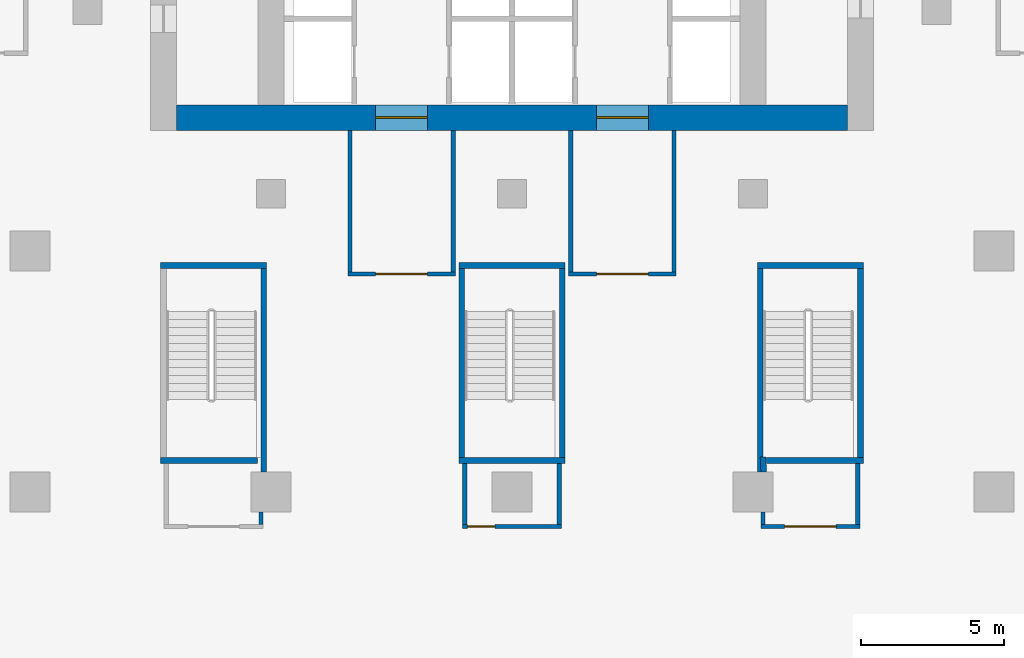
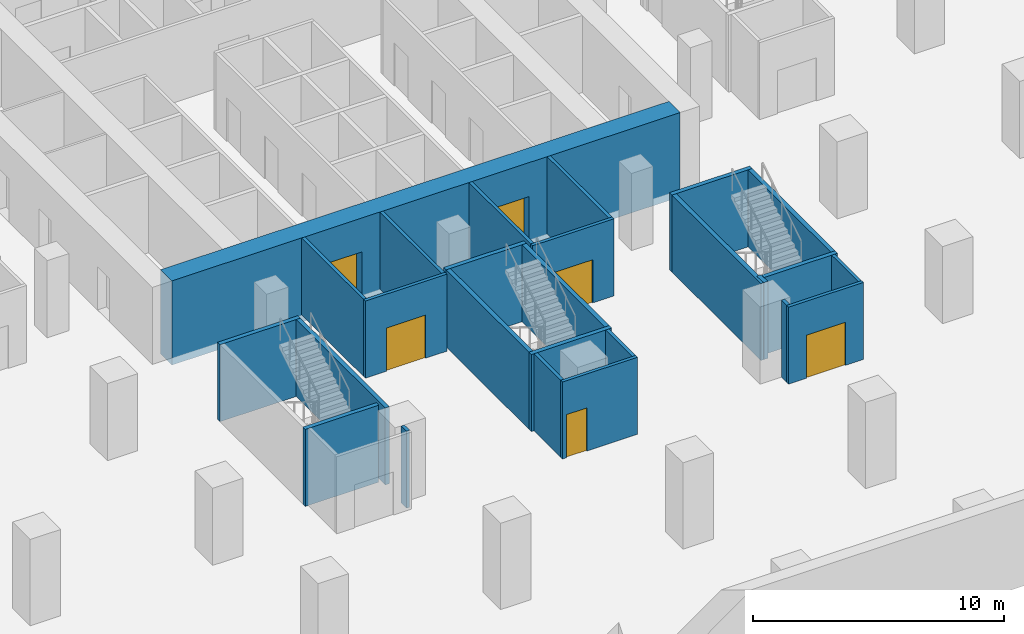
# One storey, part 4 of 17: 26 walls, 6 doors, 6 openings.
"""IFC4 building model written with IfcOpenShell, lengths in metres."""

from ifc_helpers import new_model, si_unit, direction, frame, frame_2d, origin, place, context, subcontext, project, spatial, rectangle, extrude, material, layer, layer_set, type_object, element, fill, save


model = new_model("IFC4")

# Units and contexts
model_context = context("Model", 3, precision=1e-05, world=origin(), true_north=direction((0.0, 1.0)))
body_context = subcontext(model_context, "Body", "Model", "MODEL_VIEW")
ifc_project = project(units=[si_unit("LENGTHUNIT", "METRE"), si_unit("AREAUNIT", "SQUARE_METRE"), si_unit("VOLUMEUNIT", "CUBIC_METRE"), si_unit("PLANEANGLEUNIT", "RADIAN"), si_unit("MASSUNIT", "GRAM", prefix="KILO")], contexts=[model_context])

# Site, building, storey
site_placement = place(None, origin())
site = spatial("IfcSite", under=ifc_project, at=site_placement, CompositionType="ELEMENT")
building_placement = place(site_placement, origin())
building = spatial("IfcBuilding", under=site, at=building_placement, Name="Vermilion Ogive Tower", CompositionType="ELEMENT")
storey_placement = place(building_placement, frame((0.0, 0.0, -4.199951171875)))
storey = spatial("IfcBuildingStorey", under=building, at=storey_placement, Name="B1", CompositionType="ELEMENT", Elevation=-4.199951171875)

# Wall, openings, doors
ifc_material_1 = material(Name="Concrete B80", Category="concrete")
ifc_layer_1 = layer(ifc_material_1, 0.89990234375)
ifc_layer_set_1 = layer_set([ifc_layer_1], Name="Core wall 900 B80")
wall_type_1 = type_object("IfcWallType", Name="Core wall 900 B80", PredefinedType="SHEAR", material=ifc_layer_set_1)
wall_1_placement = place(storey_placement, frame((-11.699951171875, -7.949951171875, -0.35009765625), z_axis=(0.0, 0.0, 1.0), x_axis=(1.0, 0.0, 0.0)))
wall_1 = element("IfcWall", 1, at=wall_1_placement, inside=storey, type_object=wall_type_1, Name="B1-CORE-S", PredefinedType="SHEAR", context=body_context, shape_type="SweptSolid", body=[
    extrude(rectangle(XDim=23.39990234375, YDim=0.89990234375, at=frame_2d((11.699951171875, 0.0))), origin(), (0.0, 0.0, 1.0), 4.10009765625),
])
opening_1_placement = place(wall_1_placement, frame((6.949951171875, 0.0, 0.35009765625)))
opening_1 = element("IfcOpeningElement", 2, at=opening_1_placement, cuts=wall_1, Name="Opening DBH001", PredefinedType="OPENING", context=body_context, shape_type="SweptSolid", body=[
    extrude(rectangle(XDim=1.800048828125, YDim=2.10009765625, at=frame_2d((0.89990234375, 1.050048828125))), frame((0.0, 0.4599609375, 0.0), z_axis=(0.0, -1.0, 0.0), x_axis=(1.0, 0.0, 0.0)), (0.0, 0.0, 1.0), 0.919921875),
])
opening_2_placement = place(wall_1_placement, frame((14.64990234375, 0.0, 0.35009765625)))
opening_2 = element("IfcOpeningElement", 3, at=opening_2_placement, cuts=wall_1, Name="Opening DBH002", PredefinedType="OPENING", context=body_context, shape_type="SweptSolid", body=[
    extrude(rectangle(XDim=1.800048828125, YDim=2.10009765625, at=frame_2d((0.89990234375, 1.050048828125))), frame((0.0, 0.4599609375, 0.0), z_axis=(0.0, -1.0, 0.0), x_axis=(1.0, 0.0, 0.0)), (0.0, 0.0, 1.0), 0.919921875),
])
ifc_material_2 = material(Name="Timber door leaf", Category="wood")
door_type_1 = type_object("IfcDoorType", Name="Core entry door 1800 x 2100 FD60S", OperationType="DOUBLE_DOOR_SINGLE_SWING", PredefinedType="DOOR", material=ifc_material_2)
door_1_placement = place(opening_1_placement, origin())
door_1 = element("IfcDoor", 4, at=door_1_placement, inside=storey, type_object=door_type_1, Name="B1-CK-XD1", OperationType="SINGLE_SWING_LEFT", OverallHeight=2.10009765625, OverallWidth=1.800048828125, PredefinedType="DOOR", context=body_context, shape_type="SweptSolid", body=[
    extrude(rectangle(XDim=1.800048828125, YDim=2.10009765625, at=frame_2d((0.89990234375, 1.050048828125))), frame((0.0, 0.02490234375, 0.0), z_axis=(0.0, -1.0, 0.0), x_axis=(1.0, 0.0, 0.0)), (0.0, 0.0, 1.0), 0.050048828125),
])
fill(opening_1, door_1)
door_2_placement = place(opening_2_placement, origin())
door_2 = element("IfcDoor", 5, at=door_2_placement, inside=storey, type_object=door_type_1, Name="B1-CK-XD2", OperationType="SINGLE_SWING_LEFT", OverallHeight=2.10009765625, OverallWidth=1.800048828125, PredefinedType="DOOR", context=body_context, shape_type="SweptSolid", body=[
    extrude(rectangle(XDim=1.800048828125, YDim=2.10009765625, at=frame_2d((0.89990234375, 1.050048828125))), frame((0.0, 0.02490234375, 0.0), z_axis=(0.0, -1.0, 0.0), x_axis=(1.0, 0.0, 0.0)), (0.0, 0.0, 1.0), 0.050048828125),
])
fill(opening_2, door_2)

# Wall, opening, door
ifc_material_3 = material(Name="Gypsum board partition on steel studs", Category="steel")
ifc_layer_2 = layer(ifc_material_3, 0.14990234375)
ifc_layer_set_2 = layer_set([ifc_layer_2], Name="Partition 150 corridor")
wall_type_2 = type_object("IfcWallType", Name="Partition 150 corridor", PredefinedType="PARTITIONING", material=ifc_layer_set_2)
wall_2_placement = place(storey_placement, frame((-1.72509765625, -22.199951171875, 0.0), z_axis=(0.0, 0.0, 1.0), x_axis=(1.0, 0.0, 0.0)))
wall_2 = element("IfcWall", 6, at=wall_2_placement, inside=storey, type_object=wall_type_2, Name="B1-PK-W-W008", PredefinedType="PARTITIONING", context=body_context, shape_type="SweptSolid", body=[
    extrude(rectangle(XDim=3.4501953125, YDim=0.14990234375, at=frame_2d((1.72509765625, 0.0))), origin(), (0.0, 0.0, 1.0), 3.75),
])
opening_3_placement = place(wall_2_placement, frame((0.17529296875, 0.0, 0.0)))
opening_3 = element("IfcOpeningElement", 7, at=opening_3_placement, cuts=wall_2, Name="Opening PK1-04", PredefinedType="OPENING", context=body_context, shape_type="SweptSolid", body=[
    extrude(rectangle(XDim=0.949951171875, YDim=2.10009765625, at=frame_2d((0.47509765625, 1.050048828125))), frame((0.0, 0.0849609375, 0.0), z_axis=(0.0, -1.0, 0.0), x_axis=(1.0, 0.0, 0.0)), (0.0, 0.0, 1.0), 0.169921875),
])
ifc_material_4 = material(Name="Timber door leaf", Category="wood")
door_type_2 = type_object("IfcDoorType", Name="Service door 950 x 2100 FD60", OperationType="SINGLE_SWING_LEFT", PredefinedType="DOOR", material=ifc_material_4)
door_3_placement = place(opening_3_placement, origin())
door_3 = element("IfcDoor", 8, at=door_3_placement, inside=storey, type_object=door_type_2, Name="B1-PK-D-D004", OperationType="SINGLE_SWING_LEFT", OverallHeight=2.10009765625, OverallWidth=0.949951171875, PredefinedType="DOOR", context=body_context, shape_type="SweptSolid", body=[
    extrude(rectangle(XDim=0.949951171875, YDim=2.10009765625, at=frame_2d((0.47509765625, 1.050048828125))), frame((0.0, 0.02490234375, 0.0), z_axis=(0.0, -1.0, 0.0), x_axis=(1.0, 0.0, 0.0)), (0.0, 0.0, 1.0), 0.050048828125),
])
fill(opening_3, door_3)

wall_3_placement = place(storey_placement, frame((8.675048828125, -22.199951171875, 0.0), z_axis=(0.0, 0.0, 1.0), x_axis=(1.0, 0.0, 0.0)))
wall_3 = element("IfcWall", 9, at=wall_3_placement, inside=storey, type_object=wall_type_2, Name="B1-PK-W-W009", PredefinedType="PARTITIONING", context=body_context, shape_type="SweptSolid", body=[
    extrude(rectangle(XDim=3.449951171875, YDim=0.14990234375, at=frame_2d((1.72509765625, 0.0))), origin(), (0.0, 0.0, 1.0), 3.75),
])
opening_4_placement = place(wall_3_placement, frame((0.824951171875, 0.0, 0.0)))
opening_4 = element("IfcOpeningElement", 10, at=opening_4_placement, cuts=wall_3, Name="Opening PK1-05", PredefinedType="OPENING", context=body_context, shape_type="SweptSolid", body=[
    extrude(rectangle(XDim=1.800048828125, YDim=2.10009765625, at=frame_2d((0.89990234375, 1.050048828125))), frame((0.0, 0.0849609375, 0.0), z_axis=(0.0, -1.0, 0.0), x_axis=(1.0, 0.0, 0.0)), (0.0, 0.0, 1.0), 0.169921875),
])
ifc_material_5 = material(Name="Timber door leaf", Category="wood")
door_type_3 = type_object("IfcDoorType", Name="Lobby door 1800 x 2100 FD60S", OperationType="DOUBLE_DOOR_SINGLE_SWING", PredefinedType="DOOR", material=ifc_material_5)
door_4_placement = place(opening_4_placement, origin())
door_4 = element("IfcDoor", 11, at=door_4_placement, inside=storey, type_object=door_type_3, Name="B1-PK-D-D005", OperationType="DOUBLE_DOOR_SINGLE_SWING", OverallHeight=2.10009765625, OverallWidth=1.800048828125, PredefinedType="DOOR", context=body_context, shape_type="SweptSolid", body=[
    extrude(rectangle(XDim=1.800048828125, YDim=2.10009765625, at=frame_2d((0.89990234375, 1.050048828125))), frame((0.0, 0.02490234375, 0.0), z_axis=(0.0, -1.0, 0.0), x_axis=(1.0, 0.0, 0.0)), (0.0, 0.0, 1.0), 0.050048828125),
])
fill(opening_4, door_4)

wall_4_placement = place(storey_placement, frame((-5.72509765625, -13.39990234375, 0.0), z_axis=(0.0, 0.0, 1.0), x_axis=(1.0, 0.0, 0.0)))
wall_4 = element("IfcWall", 12, at=wall_4_placement, inside=storey, type_object=wall_type_2, Name="B1-PK-W-W014", PredefinedType="PARTITIONING", context=body_context, shape_type="SweptSolid", body=[
    extrude(rectangle(XDim=3.75, YDim=0.14990234375, at=frame_2d((1.875, 0.0))), origin(), (0.0, 0.0, 1.0), 3.75),
])
opening_5_placement = place(wall_4_placement, frame((0.97509765625, 0.0, 0.0)))
opening_5 = element("IfcOpeningElement", 13, at=opening_5_placement, cuts=wall_4, Name="Opening PK1-01", PredefinedType="OPENING", context=body_context, shape_type="SweptSolid", body=[
    extrude(rectangle(XDim=1.800048828125, YDim=2.10009765625, at=frame_2d((0.89990234375, 1.050048828125))), frame((0.0, 0.0849609375, 0.0), z_axis=(0.0, -1.0, 0.0), x_axis=(1.0, 0.0, 0.0)), (0.0, 0.0, 1.0), 0.169921875),
])
door_5_placement = place(opening_5_placement, origin())
door_5 = element("IfcDoor", 14, at=door_5_placement, inside=storey, type_object=door_type_3, Name="B1-PK-D-D001", OperationType="DOUBLE_DOOR_SINGLE_SWING", OverallHeight=2.10009765625, OverallWidth=1.800048828125, PredefinedType="DOOR", context=body_context, shape_type="SweptSolid", body=[
    extrude(rectangle(XDim=1.800048828125, YDim=2.10009765625, at=frame_2d((0.89990234375, 1.050048828125))), frame((0.0, 0.02490234375, 0.0), z_axis=(0.0, -1.0, 0.0), x_axis=(1.0, 0.0, 0.0)), (0.0, 0.0, 1.0), 0.050048828125),
])
fill(opening_5, door_5)

wall_5_placement = place(storey_placement, frame((1.97509765625, -13.39990234375, 0.0), z_axis=(0.0, 0.0, 1.0), x_axis=(1.0, 0.0, 0.0)))
wall_5 = element("IfcWall", 15, at=wall_5_placement, inside=storey, type_object=wall_type_2, Name="B1-PK-W-W015", PredefinedType="PARTITIONING", context=body_context, shape_type="SweptSolid", body=[
    extrude(rectangle(XDim=3.75, YDim=0.14990234375, at=frame_2d((1.875, 0.0))), origin(), (0.0, 0.0, 1.0), 3.75),
])
opening_6_placement = place(wall_5_placement, frame((0.974853515625, 0.0, 0.0)))
opening_6 = element("IfcOpeningElement", 16, at=opening_6_placement, cuts=wall_5, Name="Opening PK1-02", PredefinedType="OPENING", context=body_context, shape_type="SweptSolid", body=[
    extrude(rectangle(XDim=1.800048828125, YDim=2.10009765625, at=frame_2d((0.89990234375, 1.050048828125))), frame((0.0, 0.0849609375, 0.0), z_axis=(0.0, -1.0, 0.0), x_axis=(1.0, 0.0, 0.0)), (0.0, 0.0, 1.0), 0.169921875),
])
door_6_placement = place(opening_6_placement, origin())
door_6 = element("IfcDoor", 17, at=door_6_placement, inside=storey, type_object=door_type_3, Name="B1-PK-D-D002", OperationType="DOUBLE_DOOR_SINGLE_SWING", OverallHeight=2.10009765625, OverallWidth=1.800048828125, PredefinedType="DOOR", context=body_context, shape_type="SweptSolid", body=[
    extrude(rectangle(XDim=1.800048828125, YDim=2.10009765625, at=frame_2d((0.89990234375, 1.050048828125))), frame((0.0, 0.02490234375, 0.0), z_axis=(0.0, -1.0, 0.0), x_axis=(1.0, 0.0, 0.0)), (0.0, 0.0, 1.0), 0.050048828125),
])
fill(opening_6, door_6)

# Walls
wall_6_placement = place(storey_placement, frame((-8.75, -22.125, 0.0), z_axis=(0.0, 0.0, 1.0), x_axis=(0.0, 1.0, 0.0)))
element("IfcWall", 18, at=wall_6_placement, inside=storey, type_object=wall_type_2, Name="B1-PK-W-W041a", PredefinedType="PARTITIONING", context=body_context, shape_type="SweptSolid", body=[
    extrude(rectangle(XDim=0.425048828125, YDim=0.14990234375, at=frame_2d((0.21240234375, 0.0))), origin(), (0.0, 0.0, 1.0), 3.75),
])
for number, where, z_axis, x_axis, name in (
    (19, (-5.64990234375, -13.324951171875, 0.0), (0.0, 0.0, 1.0), (0.0, 1.0, 0.0), "B1-PK-W-W042"),
    (20, (-2.050048828125, -13.324951171875, 0.0), (0.0, 0.0, 1.0), (0.0, 1.0, 0.0), "B1-PK-W-W043"),
):
    element("IfcWall", number, at=place(storey_placement, frame(where, z_axis=z_axis, x_axis=x_axis)), inside=storey, type_object=wall_type_2, Name=name, PredefinedType="PARTITIONING", context=body_context, shape_type="SweptSolid", body=[
        extrude(rectangle(XDim=4.924072265625, YDim=0.14990234375, at=frame_2d((2.4619140625, 0.0))), origin(), (0.0, 0.0, 1.0), 3.75),
    ])
for number, where, z_axis, x_axis, name in (
    (21, (-1.64990234375, -22.125, 0.0), (0.0, 0.0, 1.0), (0.0, 1.0, 0.0), "B1-PK-W-W044"),
    (22, (1.64990234375, -22.125, 0.0), (0.0, 0.0, 1.0), (0.0, 1.0, 0.0), "B1-PK-W-W045"),
):
    element("IfcWall", number, at=place(storey_placement, frame(where, z_axis=z_axis, x_axis=x_axis)), inside=storey, type_object=wall_type_2, Name=name, PredefinedType="PARTITIONING", context=body_context, shape_type="SweptSolid", body=[
        extrude(rectangle(XDim=2.125, YDim=0.14990234375, at=frame_2d((1.0625, 0.0))), origin(), (0.0, 0.0, 1.0), 3.75),
    ])
for number, where, z_axis, x_axis, name in (
    (23, (2.050048828125, -13.324951171875, 0.0), (0.0, 0.0, 1.0), (0.0, 1.0, 0.0), "B1-PK-W-W046"),
    (24, (5.64990234375, -13.324951171875, 0.0), (0.0, 0.0, 1.0), (0.0, 1.0, 0.0), "B1-PK-W-W047"),
):
    element("IfcWall", number, at=place(storey_placement, frame(where, z_axis=z_axis, x_axis=x_axis)), inside=storey, type_object=wall_type_2, Name=name, PredefinedType="PARTITIONING", context=body_context, shape_type="SweptSolid", body=[
        extrude(rectangle(XDim=4.924072265625, YDim=0.14990234375, at=frame_2d((2.4619140625, 0.0))), origin(), (0.0, 0.0, 1.0), 3.75),
    ])
wall_7_placement = place(storey_placement, frame((8.75, -22.125, 0.0), z_axis=(0.0, 0.0, 1.0), x_axis=(0.0, 1.0, 0.0)))
element("IfcWall", 25, at=wall_7_placement, inside=storey, type_object=wall_type_2, Name="B1-PK-W-W048a", PredefinedType="PARTITIONING", context=body_context, shape_type="SweptSolid", body=[
    extrude(rectangle(XDim=0.425048828125, YDim=0.14990234375, at=frame_2d((0.21240234375, 0.0))), origin(), (0.0, 0.0, 1.0), 3.75),
])
wall_8_placement = place(storey_placement, frame((12.050048828125, -22.125, 0.0), z_axis=(0.0, 0.0, 1.0), x_axis=(0.0, 1.0, 0.0)))
element("IfcWall", 26, at=wall_8_placement, inside=storey, type_object=wall_type_2, Name="B1-PK-W-W049", PredefinedType="PARTITIONING", context=body_context, shape_type="SweptSolid", body=[
    extrude(rectangle(XDim=2.125, YDim=0.14990234375, at=frame_2d((1.0625, 0.0))), origin(), (0.0, 0.0, 1.0), 3.75),
])
ifc_material_6 = material(Name="Concrete B60", Category="concrete")
ifc_layer_3 = layer(ifc_material_6, 0.199951171875)
ifc_layer_set_3 = layer_set([ifc_layer_3], Name="Stair shaft wall 200 Concrete B60")
wall_type_3 = type_object("IfcWallType", Name="Stair shaft wall 200 Concrete B60", PredefinedType="SOLIDWALL", material=ifc_layer_set_3)
wall_9_placement = place(storey_placement, frame((8.77490234375, -20.300048828125, 0.0), z_axis=(0.0, 0.0, 1.0), x_axis=(-0.047388561008, 0.998876531052, 0.0)))
element("IfcWall", 27, at=wall_9_placement, inside=storey, type_object=wall_type_3, Name="B1-PK-W-W048b", PredefinedType="SOLIDWALL", context=body_context, shape_type="SweptSolid", body=[
    extrude(rectangle(XDim=0.525390625, YDim=0.199951171875, at=frame_2d((0.2626953125, 0.0))), origin(), (0.0, 0.0, 1.0), 3.75),
])
wall_10_placement = place(storey_placement, frame((-12.25, -19.89990234375, 0.0), z_axis=(0.0, 0.0, 1.0), x_axis=(1.0, 0.0, 0.0)))
element("IfcWall", 28, at=wall_10_placement, inside=storey, type_object=wall_type_3, Name="B1-SW-ST3-S1", PredefinedType="SOLIDWALL", context=body_context, shape_type="SweptSolid", body=[
    extrude(rectangle(XDim=3.375, YDim=0.199951171875, at=frame_2d((1.6875, 0.0))), origin(), (0.0, 0.0, 1.0), 3.75),
])
wall_11_placement = place(storey_placement, frame((-12.25, -13.10009765625, 0.0), z_axis=(0.0, 0.0, 1.0), x_axis=(1.0, 0.0, 0.0)))
element("IfcWall", 29, at=wall_11_placement, inside=storey, type_object=wall_type_3, Name="B1-SW-ST3-N1", PredefinedType="SOLIDWALL", context=body_context, shape_type="SweptSolid", body=[
    extrude(rectangle(XDim=3.699951171875, YDim=0.199951171875, at=frame_2d((1.85009765625, 0.0))), origin(), (0.0, 0.0, 1.0), 3.75),
])
wall_12_placement = place(storey_placement, frame((-8.64990234375, -20.300048828125, 0.0), z_axis=(0.0, 0.0, 1.0), x_axis=(0.0, 1.0, 0.0)))
element("IfcWall", 30, at=wall_12_placement, inside=storey, type_object=wall_type_3, Name="B1-SW-ST3-E1", PredefinedType="SOLIDWALL", context=body_context, shape_type="SweptSolid", body=[
    extrude(rectangle(XDim=7.10009765625, YDim=0.199951171875, at=frame_2d((3.550048828125, 0.0))), origin(), (0.0, 0.0, 1.0), 3.75),
])
for number, where, z_axis, x_axis, name in (
    (31, (-1.85009765625, -19.89990234375, 0.0), (0.0, 0.0, 1.0), (1.0, 0.0, 0.0), "B1-SW-ST4-S1"),
    (32, (-1.85009765625, -13.10009765625, 0.0), (0.0, 0.0, 1.0), (1.0, 0.0, 0.0), "B1-SW-ST4-N1"),
):
    element("IfcWall", number, at=place(storey_placement, frame(where, z_axis=z_axis, x_axis=x_axis)), inside=storey, type_object=wall_type_3, Name=name, PredefinedType="SOLIDWALL", context=body_context, shape_type="SweptSolid", body=[
        extrude(rectangle(XDim=3.7001953125, YDim=0.199951171875, at=frame_2d((1.85009765625, 0.0))), origin(), (0.0, 0.0, 1.0), 3.75),
    ])
for number, where, z_axis, x_axis, name in (
    (33, (-1.75, -19.800048828125, 0.0), (0.0, 0.0, 1.0), (0.0, 1.0, 0.0), "B1-SW-ST4-W1"),
    (34, (1.75, -19.800048828125, 0.0), (0.0, 0.0, 1.0), (0.0, 1.0, 0.0), "B1-SW-ST4-E1"),
):
    element("IfcWall", number, at=place(storey_placement, frame(where, z_axis=z_axis, x_axis=x_axis)), inside=storey, type_object=wall_type_3, Name=name, PredefinedType="SOLIDWALL", context=body_context, shape_type="SweptSolid", body=[
        extrude(rectangle(XDim=6.60009765625, YDim=0.199951171875, at=frame_2d((3.300048828125, 0.0))), origin(), (0.0, 0.0, 1.0), 3.75),
    ])
wall_13_placement = place(storey_placement, frame((8.875, -19.89990234375, 0.0), z_axis=(0.0, 0.0, 1.0), x_axis=(1.0, 0.0, 0.0)))
element("IfcWall", 35, at=wall_13_placement, inside=storey, type_object=wall_type_3, Name="B1-SW-ST5-S1", PredefinedType="SOLIDWALL", context=body_context, shape_type="SweptSolid", body=[
    extrude(rectangle(XDim=3.375, YDim=0.199951171875, at=frame_2d((1.6875, 0.0))), origin(), (0.0, 0.0, 1.0), 3.75),
])
wall_14_placement = place(storey_placement, frame((8.550048828125, -13.10009765625, 0.0), z_axis=(0.0, 0.0, 1.0), x_axis=(1.0, 0.0, 0.0)))
element("IfcWall", 36, at=wall_14_placement, inside=storey, type_object=wall_type_3, Name="B1-SW-ST5-N1", PredefinedType="SOLIDWALL", context=body_context, shape_type="SweptSolid", body=[
    extrude(rectangle(XDim=3.699951171875, YDim=0.199951171875, at=frame_2d((1.85009765625, 0.0))), origin(), (0.0, 0.0, 1.0), 3.75),
])
wall_15_placement = place(storey_placement, frame((8.64990234375, -20.300048828125, 0.0), z_axis=(0.0, 0.0, 1.0), x_axis=(0.0, 1.0, 0.0)))
element("IfcWall", 37, at=wall_15_placement, inside=storey, type_object=wall_type_3, Name="B1-SW-ST5-W1", PredefinedType="SOLIDWALL", context=body_context, shape_type="SweptSolid", body=[
    extrude(rectangle(XDim=7.10009765625, YDim=0.199951171875, at=frame_2d((3.550048828125, 0.0))), origin(), (0.0, 0.0, 1.0), 3.75),
])
wall_16_placement = place(storey_placement, frame((12.14990234375, -19.800048828125, 0.0), z_axis=(0.0, 0.0, 1.0), x_axis=(0.0, 1.0, 0.0)))
element("IfcWall", 38, at=wall_16_placement, inside=storey, type_object=wall_type_3, Name="B1-SW-ST5-E1", PredefinedType="SOLIDWALL", context=body_context, shape_type="SweptSolid", body=[
    extrude(rectangle(XDim=6.60009765625, YDim=0.199951171875, at=frame_2d((3.300048828125, 0.0))), origin(), (0.0, 0.0, 1.0), 3.75),
])

save(model, "model.ifc")
